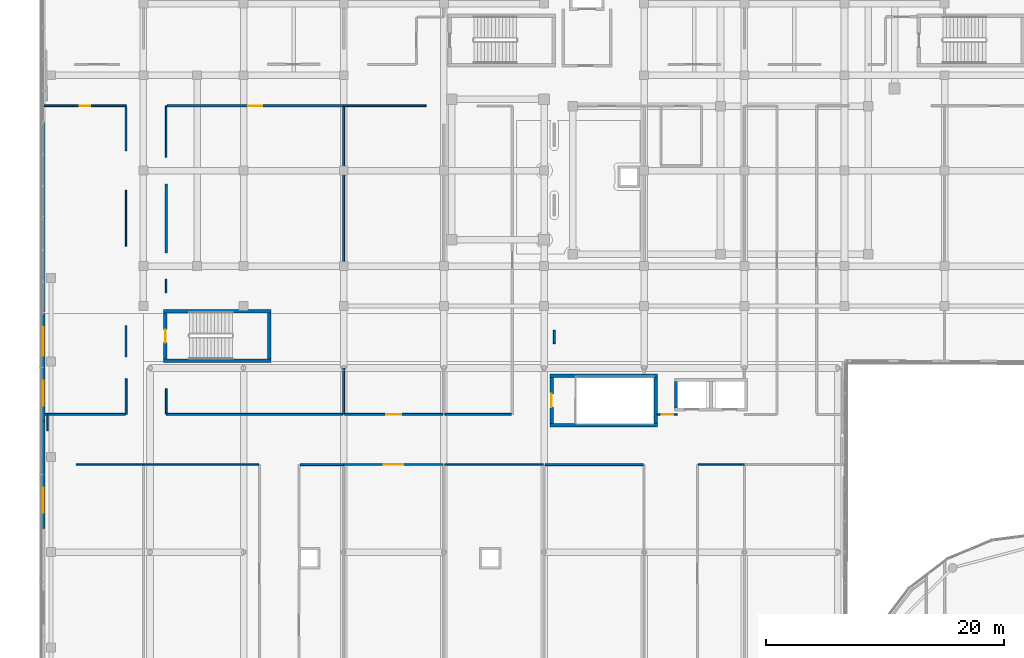
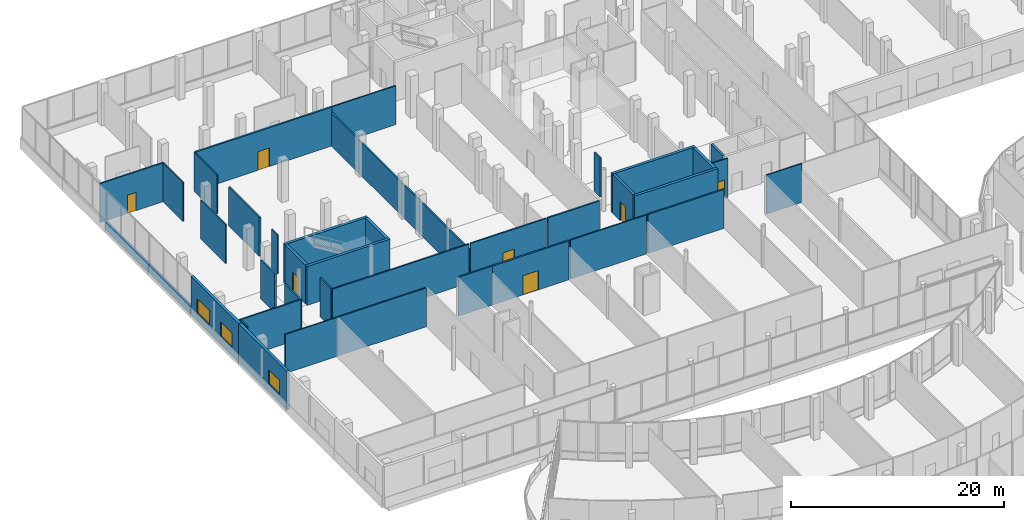
# One storey, part 134 of 155: 39 walls, 7 doors, 3 windows, 10 openings.
"""IFC4 building model written with IfcOpenShell, lengths in metres."""

from ifc_helpers import new_model, si_unit, direction, frame, frame_2d, origin, place, context, subcontext, project, spatial, rectangle, extrude, material, layer, layer_set, type_object, element, fill, save


model = new_model("IFC4")

# Units and contexts
model_context = context("Model", 3, precision=1e-05, world=origin(), true_north=direction((0.0, 1.0)))
body_context = subcontext(model_context, "Body", "Model", "MODEL_VIEW")
ifc_project = project(units=[si_unit("LENGTHUNIT", "METRE"), si_unit("AREAUNIT", "SQUARE_METRE"), si_unit("VOLUMEUNIT", "CUBIC_METRE"), si_unit("PLANEANGLEUNIT", "RADIAN"), si_unit("MASSUNIT", "GRAM", prefix="KILO")], contexts=[model_context])

# Site, building, storey
site_placement = place(None, origin())
site = spatial("IfcSite", under=ifc_project, at=site_placement, CompositionType="ELEMENT")
building_placement = place(site_placement, origin())
building = spatial("IfcBuilding", under=site, at=building_placement, Name="Selatvlak General Hospital", CompositionType="ELEMENT")
storey_placement = place(building_placement, frame((0.0, 0.0, 10.199951171875)))
storey = spatial("IfcBuildingStorey", under=building, at=storey_placement, Name="L02", CompositionType="ELEMENT", Elevation=10.199951171875)

# Wall, opening, window
ifc_material_1 = material(Name="Precast concrete C40/50 - white fair-faced", Category="concrete")
ifc_layer_1 = layer(ifc_material_1, 0.300048828125, Name="Precast concrete C40/50 - white fair-faced", Category="concrete")
ifc_layer_set_1 = layer_set([ifc_layer_1], Name="Precast concrete C40/50 - white fair-faced")
wall_type_1 = type_object("IfcWallType", Name="WALL-EW-01", PredefinedType="SOLIDWALL", material=ifc_layer_set_1)
wall_1_placement = place(storey_placement, frame((14.39990234375, 69.9990234375, 0.0), z_axis=(0.0, 0.0, 1.0), x_axis=(0.0, 1.0, 0.0)))
wall_1 = element("IfcWall", 1, at=wall_1_placement, inside=storey, type_object=wall_type_1, Name="L02 exterior wall 0285", PredefinedType="SOLIDWALL", context=body_context, shape_type="SweptSolid", body=[
    extrude(rectangle(XDim=9.0, YDim=0.300048828125, at=frame_2d((4.5, 0.0))), origin(), (0.0, 0.0, 1.0), 4.4599609375),
])
opening_1_placement = place(wall_1_placement, frame((1.2900390625, 0.0, 0.9599609375)))
opening_1 = element("IfcOpeningElement", 2, at=opening_1_placement, cuts=wall_1, Name="Opening WN-12", PredefinedType="OPENING", context=body_context, shape_type="SweptSolid", body=[
    extrude(rectangle(XDim=2.10009765625, YDim=1.64990234375, at=frame_2d((1.050048828125, 0.824951171875))), frame((0.0, 0.159912109375, 0.0), z_axis=(0.0, -1.0, 0.0), x_axis=(1.0, 0.0, 0.0)), (0.0, 0.0, 1.0), 0.320068359375),
])
ifc_material_2 = material(Name="Thermally broken aluminium Low-E window", Category="aluminium")
window_type_1 = type_object("IfcWindowType", Name="WIN-WN-12", PartitioningType="SINGLE_PANEL", PredefinedType="WINDOW", material=ifc_material_2)
window_1_placement = place(opening_1_placement, origin())
window_1 = element("IfcWindow", 3, at=window_1_placement, inside=storey, type_object=window_type_1, Name="L02 Bauhaus ribbon window 0039", OverallHeight=1.64990234375, OverallWidth=2.10009765625, PartitioningType="SINGLE_PANEL", PredefinedType="WINDOW", context=body_context, shape_type="SweptSolid", body=[
    extrude(rectangle(XDim=2.10009765625, YDim=1.64990234375, at=frame_2d((1.050048828125, 0.824951171875))), frame((0.0, 0.030029296875, 0.0), z_axis=(0.0, -1.0, 0.0), x_axis=(1.0, 0.0, 0.0)), (0.0, 0.0, 1.0), 0.06005859375),
])
fill(opening_1, window_1)

# Wall, openings, windows
wall_2_placement = place(storey_placement, frame((14.39990234375, 78.9990234375, 0.0), z_axis=(0.0, 0.0, 1.0), x_axis=(0.0, 1.0, 0.0)))
wall_2 = element("IfcWall", 4, at=wall_2_placement, inside=storey, type_object=wall_type_1, Name="L02 exterior wall 0286", PredefinedType="SOLIDWALL", context=body_context, shape_type="SweptSolid", body=[
    extrude(rectangle(XDim=9.0, YDim=0.300048828125, at=frame_2d((4.5, 0.0))), origin(), (0.0, 0.0, 1.0), 4.4599609375),
])
opening_2_placement = place(wall_2_placement, frame((1.2900390625, 0.0, 0.9599609375)))
opening_2 = element("IfcOpeningElement", 5, at=opening_2_placement, cuts=wall_2, Name="Opening WN-12", PredefinedType="OPENING", context=body_context, shape_type="SweptSolid", body=[
    extrude(rectangle(XDim=2.10009765625, YDim=1.64990234375, at=frame_2d((1.050048828125, 0.824951171875))), frame((0.0, 0.159912109375, 0.0), z_axis=(0.0, -1.0, 0.0), x_axis=(1.0, 0.0, 0.0)), (0.0, 0.0, 1.0), 0.320068359375),
])
opening_3_placement = place(wall_2_placement, frame((5.4599609375, 0.0, 0.9599609375)))
opening_3 = element("IfcOpeningElement", 6, at=opening_3_placement, cuts=wall_2, Name="Opening WN-13", PredefinedType="OPENING", context=body_context, shape_type="SweptSolid", body=[
    extrude(rectangle(XDim=2.39990234375, YDim=1.64990234375, at=frame_2d((1.199951171875, 0.824951171875))), frame((0.0, 0.159912109375, 0.0), z_axis=(0.0, -1.0, 0.0), x_axis=(1.0, 0.0, 0.0)), (0.0, 0.0, 1.0), 0.320068359375),
])
window_2_placement = place(opening_2_placement, origin())
window_2 = element("IfcWindow", 7, at=window_2_placement, inside=storey, type_object=window_type_1, Name="L02 Bauhaus ribbon window 0041", OverallHeight=1.64990234375, OverallWidth=2.10009765625, PartitioningType="SINGLE_PANEL", PredefinedType="WINDOW", context=body_context, shape_type="SweptSolid", body=[
    extrude(rectangle(XDim=2.10009765625, YDim=1.64990234375, at=frame_2d((1.050048828125, 0.824951171875))), frame((0.0, 0.030029296875, 0.0), z_axis=(0.0, -1.0, 0.0), x_axis=(1.0, 0.0, 0.0)), (0.0, 0.0, 1.0), 0.06005859375),
])
fill(opening_2, window_2)
window_type_2 = type_object("IfcWindowType", Name="WIN-WN-13", PartitioningType="SINGLE_PANEL", PredefinedType="WINDOW", material=ifc_material_2)
window_3_placement = place(opening_3_placement, origin())
window_3 = element("IfcWindow", 8, at=window_3_placement, inside=storey, type_object=window_type_2, Name="L02 Bauhaus ribbon window 0042", OverallHeight=1.64990234375, OverallWidth=2.39990234375, PartitioningType="SINGLE_PANEL", PredefinedType="WINDOW", context=body_context, shape_type="SweptSolid", body=[
    extrude(rectangle(XDim=2.39990234375, YDim=1.64990234375, at=frame_2d((1.199951171875, 0.824951171875))), frame((0.0, 0.030029296875, 0.0), z_axis=(0.0, -1.0, 0.0), x_axis=(1.0, 0.0, 0.0)), (0.0, 0.0, 1.0), 0.06005859375),
])
fill(opening_3, window_3)

# Walls
ifc_material_3 = material(Name="Precast concrete C40/50 - white Bauhaus spandrel", Category="concrete")
ifc_layer_2 = layer(ifc_material_3, 0.280029296875, Name="Precast concrete C40/50 - white Bauhaus spandrel", Category="concrete")
ifc_layer_set_2 = layer_set([ifc_layer_2], Name="Precast concrete C40/50 - white Bauhaus spandrel")
wall_type_2 = type_object("IfcWallType", Name="WALL-EW-02", PredefinedType="SOLIDWALL", material=ifc_layer_set_2)
wall_3_placement = place(storey_placement, frame((14.39990234375, 88.138916015625, 0.0), z_axis=(0.0, 0.0, 1.0), x_axis=(0.0, 1.0, 0.0)))
element("IfcWall", 9, at=wall_3_placement, inside=storey, type_object=wall_type_2, Name="L02 Bauhaus spandrel sill wall 0287", PredefinedType="SOLIDWALL", context=body_context, shape_type="SweptSolid", body=[
    extrude(rectangle(XDim=7.858154296875, YDim=0.280029296875, at=frame_2d((3.92919921875, 0.0))), origin(), (0.0, 0.0, 1.0), 0.93994140625),
])
wall_4_placement = place(storey_placement, frame((14.39990234375, 96.0009765625, 0.0), z_axis=(0.0, 0.0, 1.0), x_axis=(0.0, 1.0, 0.0)))
element("IfcWall", 10, at=wall_4_placement, inside=storey, type_object=wall_type_2, Name="L02 Bauhaus spandrel sill wall 0288", PredefinedType="SOLIDWALL", context=body_context, shape_type="SweptSolid", body=[
    extrude(rectangle(XDim=7.99609375, YDim=0.280029296875, at=frame_2d((3.998046875, 0.0))), origin(), (0.0, 0.0, 1.0), 0.93994140625),
])

# Wall, opening, door
ifc_material_4 = material(Name="Acoustic gypsum stud partition")
ifc_layer_3 = layer(ifc_material_4, 0.179931640625, Name="Acoustic gypsum stud partition")
ifc_layer_set_3 = layer_set([ifc_layer_3], Name="Acoustic gypsum stud partition")
wall_type_3 = type_object("IfcWallType", Name="WALL-PT-01", PredefinedType="PARTITIONING", material=ifc_layer_set_3)
wall_5_placement = place(storey_placement, frame((39.60009765625, 75.340087890625, 0.0), z_axis=(0.0, 0.0, 1.0), x_axis=(1.0, 0.0, 0.0)))
wall_5 = element("IfcWall", 11, at=wall_5_placement, inside=storey, type_object=wall_type_3, Name="L02 clinical partition PT-L02-1086", PredefinedType="PARTITIONING", context=body_context, shape_type="SweptSolid", body=[
    extrude(rectangle(XDim=8.322021484375, YDim=0.179931640625, at=frame_2d((4.1611328125, 0.0))), origin(), (0.0, 0.0, 1.0), 4.4599609375),
])
opening_4_placement = place(wall_5_placement, frame((3.3359375, 0.0, 0.0)))
opening_4 = element("IfcOpeningElement", 12, at=opening_4_placement, cuts=wall_5, Name="Opening D-19", PredefinedType="OPENING", context=body_context, shape_type="SweptSolid", body=[
    extrude(rectangle(XDim=1.64990234375, YDim=2.199951171875, at=frame_2d((0.824951171875, 1.10009765625))), frame((0.0, 0.099853515625, 0.0), z_axis=(0.0, -1.0, 0.0), x_axis=(1.0, 0.0, 0.0)), (0.0, 0.0, 1.0), 0.199951171875),
])
ifc_material_5 = material(Name="Hermetic operating theatre sliding door")
door_type_1 = type_object("IfcDoorType", Name="DOOR-D-19", OperationType="DOUBLE_DOOR_SLIDING", PredefinedType="DOOR", material=ifc_material_5)
door_1_placement = place(opening_4_placement, origin())
door_1 = element("IfcDoor", 13, at=door_1_placement, inside=storey, type_object=door_type_1, Name="L02 Operating Theatre 08 door", OperationType="DOUBLE_DOOR_SLIDING", OverallHeight=2.199951171875, OverallWidth=1.64990234375, PredefinedType="DOOR", context=body_context, shape_type="SweptSolid", body=[
    extrude(rectangle(XDim=1.64990234375, YDim=2.199951171875, at=frame_2d((0.824951171875, 1.10009765625))), frame((0.0, 0.02490234375, 0.0), z_axis=(0.0, -1.0, 0.0), x_axis=(1.0, 0.0, 0.0)), (0.0, 0.0, 1.0), 0.050048828125),
])
fill(opening_4, door_1)

# Wall
wall_6_placement = place(storey_placement, frame((21.340087890625, 86.993896484375, 0.0), z_axis=(0.0, 0.0, 1.0), x_axis=(0.0, -1.0, 0.0)))
element("IfcWall", 14, at=wall_6_placement, inside=storey, type_object=wall_type_3, Name="L02 clinical partition PT-L02-1250", PredefinedType="PARTITIONING", context=body_context, shape_type="SweptSolid", body=[
    extrude(rectangle(XDim=2.630859375, YDim=0.179931640625, at=frame_2d((1.3154296875, 0.0))), origin(), (0.0, 0.0, 1.0), 4.4599609375),
])

# Wall, opening, door
wall_7_placement = place(storey_placement, frame((24.76611328125, 105.43994140625, 0.0), z_axis=(0.0, 0.0, 1.0), x_axis=(1.0, 0.0, 0.0)))
wall_7 = element("IfcWall", 15, at=wall_7_placement, inside=storey, type_object=wall_type_3, Name="L02 clinical partition PT-L02-1255", PredefinedType="PARTITIONING", context=body_context, shape_type="SweptSolid", body=[
    extrude(rectangle(XDim=14.833984375, YDim=0.179931640625, at=frame_2d((7.4169921875, 0.0))), origin(), (0.0, 0.0, 1.0), 4.4599609375),
])
opening_5_placement = place(wall_7_placement, frame((6.81689453125, 0.0, 0.0)))
opening_5 = element("IfcOpeningElement", 16, at=opening_5_placement, cuts=wall_7, Name="Opening D-07", PredefinedType="OPENING", context=body_context, shape_type="SweptSolid", body=[
    extrude(rectangle(XDim=1.199951171875, YDim=2.14990234375, at=frame_2d((0.60009765625, 1.074951171875))), frame((0.0, 0.099853515625, 0.0), z_axis=(0.0, -1.0, 0.0), x_axis=(1.0, 0.0, 0.0)), (0.0, 0.0, 1.0), 0.199951171875),
])
ifc_material_6 = material(Name="Plant and store fire door")
door_type_2 = type_object("IfcDoorType", Name="DOOR-D-07", OperationType="NOTDEFINED", PredefinedType="DOOR", material=ifc_material_6)
door_2_placement = place(opening_5_placement, origin())
door_2 = element("IfcDoor", 17, at=door_2_placement, inside=storey, type_object=door_type_2, Name="L02 Anaesthetic Pre-Op Assessment 42 door", OperationType="SINGLE_SWING_LEFT", OverallHeight=2.14990234375, OverallWidth=1.199951171875, PredefinedType="DOOR", context=body_context, shape_type="SweptSolid", body=[
    extrude(rectangle(XDim=1.199951171875, YDim=2.14990234375, at=frame_2d((0.60009765625, 1.074951171875))), frame((0.0, 0.02490234375, 0.0), z_axis=(0.0, -1.0, 0.0), x_axis=(1.0, 0.0, 0.0)), (0.0, 0.0, 1.0), 0.050048828125),
])
fill(opening_5, door_2)

# Walls
wall_8_placement = place(storey_placement, frame((24.7099609375, 93.10693359375, 0.0), z_axis=(0.0, 0.0, 1.0), x_axis=(0.0, 1.0, 0.0)))
element("IfcWall", 18, at=wall_8_placement, inside=storey, type_object=wall_type_3, Name="L02 clinical partition PT-L02-1260", PredefinedType="PARTITIONING", context=body_context, shape_type="SweptSolid", body=[
    extrude(rectangle(XDim=5.7861328125, YDim=0.179931640625, at=frame_2d((2.89306640625, 0.0))), origin(), (0.0, 0.0, 1.0), 4.4599609375),
])
ifc_layer_4 = layer(ifc_material_4, 0.1650390625, Name="Acoustic gypsum stud partition")
ifc_layer_set_4 = layer_set([ifc_layer_4], Name="Acoustic gypsum stud partition")
wall_type_4 = type_object("IfcWallType", Name="WALL-PT-02", PredefinedType="PARTITIONING", material=ifc_layer_set_4)
wall_9_placement = place(storey_placement, frame((35.946044921875, 75.340087890625, 0.0), z_axis=(0.0, 0.0, 1.0), x_axis=(1.0, 0.0, 0.0)))
element("IfcWall", 19, at=wall_9_placement, inside=storey, type_object=wall_type_4, Name="L02 clinical partition PT-L02-1072", PredefinedType="PARTITIONING", context=body_context, shape_type="SweptSolid", body=[
    extrude(rectangle(XDim=3.654052734375, YDim=0.1650390625, at=frame_2d((1.8271484375, 0.0))), origin(), (0.0, 0.0, 1.0), 4.4599609375),
])
wall_10_placement = place(storey_placement, frame((56.486083984375, 75.340087890625, 0.0), z_axis=(0.0, 0.0, 1.0), x_axis=(1.0, 0.0, 0.0)))
element("IfcWall", 20, at=wall_10_placement, inside=storey, type_object=wall_type_4, Name="L02 clinical partition PT-L02-1108", PredefinedType="PARTITIONING", context=body_context, shape_type="SweptSolid", body=[
    extrude(rectangle(XDim=8.25, YDim=0.1650390625, at=frame_2d((4.125, 0.0))), origin(), (0.0, 0.0, 1.0), 4.4599609375),
])
wall_11_placement = place(storey_placement, frame((21.340087890625, 82.537109375, 0.0), z_axis=(0.0, 0.0, 1.0), x_axis=(0.0, -1.0, 0.0)))
element("IfcWall", 21, at=wall_11_placement, inside=storey, type_object=wall_type_4, Name="L02 clinical partition PT-L02-1251", PredefinedType="PARTITIONING", context=body_context, shape_type="SweptSolid", body=[
    extrude(rectangle(XDim=2.97705078125, YDim=0.1650390625, at=frame_2d((1.488525390625, 0.0))), origin(), (0.0, 0.0, 1.0), 4.4599609375),
])
wall_12_placement = place(storey_placement, frame((39.60009765625, 105.35400390625, 0.0), z_axis=(0.0, 0.0, 1.0), x_axis=(0.0, -1.0, 0.0)))
element("IfcWall", 22, at=wall_12_placement, inside=storey, type_object=wall_type_4, Name="L02 clinical partition PT-L02-1256", PredefinedType="PARTITIONING", context=body_context, shape_type="SweptSolid", body=[
    extrude(rectangle(XDim=25.7939453125, YDim=0.1650390625, at=frame_2d((12.89697265625, 0.0))), origin(), (0.0, 0.0, 1.0), 3.81005859375),
])
wall_13_placement = place(storey_placement, frame((53.654052734375, 79.56005859375, 0.0), z_axis=(0.0, 0.0, 1.0), x_axis=(-1.0, 0.0, 0.0)))
element("IfcWall", 23, at=wall_13_placement, inside=storey, type_object=wall_type_4, Name="L02 clinical partition PT-L02-1266", PredefinedType="PARTITIONING", context=body_context, shape_type="SweptSolid", body=[
    extrude(rectangle(XDim=5.576171875, YDim=0.1650390625, at=frame_2d((2.7880859375, 0.0))), origin(), (0.0, 0.0, 1.0), 4.4599609375),
])
wall_14_placement = place(storey_placement, frame((57.260009765625, 85.485107421875, 0.0), z_axis=(0.0, 0.0, 1.0), x_axis=(0.0, 1.0, 0.0)))
element("IfcWall", 24, at=wall_14_placement, inside=storey, type_object=wall_type_4, Name="L02 clinical partition PT-L02-1271", PredefinedType="PARTITIONING", context=body_context, shape_type="SweptSolid", body=[
    extrude(rectangle(XDim=1.1298828125, YDim=0.1650390625, at=frame_2d((0.56494140625, 0.0))), origin(), (0.0, 0.0, 1.0), 4.4599609375),
])

# Wall, opening, door
ifc_layer_5 = layer(ifc_material_4, 0.14990234375, Name="Acoustic gypsum stud partition")
ifc_layer_set_5 = layer_set([ifc_layer_5], Name="Acoustic gypsum stud partition")
wall_type_5 = type_object("IfcWallType", Name="WALL-PT-03", PredefinedType="PARTITIONING", material=ifc_layer_set_5)
wall_15_placement = place(storey_placement, frame((14.44189453125, 105.43994140625, 0.0), z_axis=(0.0, 0.0, 1.0), x_axis=(1.0, 0.0, 0.0)))
wall_15 = element("IfcWall", 25, at=wall_15_placement, inside=storey, type_object=wall_type_5, Name="L02 clinical partition PT-L02-1247", PredefinedType="PARTITIONING", context=body_context, shape_type="SweptSolid", body=[
    extrude(rectangle(XDim=6.898193359375, YDim=0.14990234375, at=frame_2d((3.44921875, 0.0))), origin(), (0.0, 0.0, 1.0), 4.4599609375),
])
opening_6_placement = place(wall_15_placement, frame((2.9990234375, 0.0, 0.0)))
opening_6 = element("IfcOpeningElement", 26, at=opening_6_placement, cuts=wall_15, Name="Opening D-01", PredefinedType="OPENING", context=body_context, shape_type="SweptSolid", body=[
    extrude(rectangle(XDim=0.89990234375, YDim=2.10009765625, at=frame_2d((0.449951171875, 1.050048828125))), frame((0.0, 0.0849609375, 0.0), z_axis=(0.0, -1.0, 0.0), x_axis=(1.0, 0.0, 0.0)), (0.0, 0.0, 1.0), 0.169921875),
])
ifc_material_7 = material(Name="Hardwood clinical room door", Category="wood")
door_type_3 = type_object("IfcDoorType", Name="DOOR-D-01", OperationType="NOTDEFINED", PredefinedType="DOOR", material=ifc_material_7)
door_3_placement = place(opening_6_placement, origin())
door_3 = element("IfcDoor", 27, at=door_3_placement, inside=storey, type_object=door_type_3, Name="L02 Sterile Instrument Preparation 41 door", OperationType="SINGLE_SWING_RIGHT", OverallHeight=2.10009765625, OverallWidth=0.89990234375, PredefinedType="DOOR", context=body_context, shape_type="SweptSolid", body=[
    extrude(rectangle(XDim=0.89990234375, YDim=2.10009765625, at=frame_2d((0.449951171875, 1.050048828125))), frame((0.0, 0.02490234375, 0.0), z_axis=(0.0, -1.0, 0.0), x_axis=(1.0, 0.0, 0.0)), (0.0, 0.0, 1.0), 0.050048828125),
])
fill(opening_6, door_3)

# Walls
wall_16_placement = place(storey_placement, frame((21.261962890625, 79.56005859375, 0.0), z_axis=(0.0, 0.0, 1.0), x_axis=(-1.0, 0.0, 0.0)))
element("IfcWall", 28, at=wall_16_placement, inside=storey, type_object=wall_type_5, Name="L02 clinical partition PT-L02-1252", PredefinedType="PARTITIONING", context=body_context, shape_type="SweptSolid", body=[
    extrude(rectangle(XDim=6.71484375, YDim=0.14990234375, at=frame_2d((3.357421875, 0.0))), origin(), (0.0, 0.0, 1.0), 4.4599609375),
])
wall_17_placement = place(storey_placement, frame((39.52197265625, 79.56005859375, 0.0), z_axis=(0.0, 0.0, 1.0), x_axis=(-1.0, 0.0, 0.0)))
element("IfcWall", 29, at=wall_17_placement, inside=storey, type_object=wall_type_5, Name="L02 clinical partition PT-L02-1257", PredefinedType="PARTITIONING", context=body_context, shape_type="SweptSolid", body=[
    extrude(rectangle(XDim=14.81201171875, YDim=0.14990234375, at=frame_2d((7.406005859375, 0.0))), origin(), (0.0, 0.0, 1.0), 4.4599609375),
])

# Wall, opening, door
wall_18_placement = place(storey_placement, frame((47.922119140625, 79.56005859375, 0.0), z_axis=(0.0, 0.0, 1.0), x_axis=(-1.0, 0.0, 0.0)))
wall_18 = element("IfcWall", 30, at=wall_18_placement, inside=storey, type_object=wall_type_5, Name="L02 clinical partition PT-L02-1262", PredefinedType="PARTITIONING", context=body_context, shape_type="SweptSolid", body=[
    extrude(rectangle(XDim=8.244140625, YDim=0.14990234375, at=frame_2d((4.1220703125, 0.0))), origin(), (0.0, 0.0, 1.0), 4.4599609375),
])
opening_7_placement = place(wall_18_placement, frame((3.4970703125, 0.0, 0.0)))
opening_7 = element("IfcOpeningElement", 31, at=opening_7_placement, cuts=wall_18, Name="Opening D-08", PredefinedType="OPENING", context=body_context, shape_type="SweptSolid", body=[
    extrude(rectangle(XDim=1.25, YDim=2.14990234375, at=frame_2d((0.625, 1.074951171875))), frame((0.0, 0.0849609375, 0.0), z_axis=(0.0, -1.0, 0.0), x_axis=(1.0, 0.0, 0.0)), (0.0, 0.0, 1.0), 0.169921875),
])
ifc_material_8 = material(Name="Diagnostic treatment door")
door_type_4 = type_object("IfcDoorType", Name="DOOR-D-08", OperationType="NOTDEFINED", PredefinedType="DOOR", material=ifc_material_8)
door_4_placement = place(opening_7_placement, origin())
door_4 = element("IfcDoor", 32, at=door_4_placement, inside=storey, type_object=door_type_4, Name="L02 Cardiac Catheterisation Lab 43 door", OperationType="SINGLE_SWING_RIGHT", OverallHeight=2.14990234375, OverallWidth=1.25, PredefinedType="DOOR", context=body_context, shape_type="SweptSolid", body=[
    extrude(rectangle(XDim=1.25, YDim=2.14990234375, at=frame_2d((0.625, 1.074951171875))), frame((0.0, 0.02490234375, 0.0), z_axis=(0.0, -1.0, 0.0), x_axis=(1.0, 0.0, 0.0)), (0.0, 0.0, 1.0), 0.050048828125),
])
fill(opening_7, door_4)

# Walls
ifc_material_9 = material(Name="Moisture-resistant clinical partition")
ifc_layer_6 = layer(ifc_material_9, 0.135009765625, Name="Moisture-resistant clinical partition")
ifc_layer_set_6 = layer_set([ifc_layer_6], Name="Moisture-resistant clinical partition")
wall_type_6 = type_object("IfcWallType", Name="WALL-PT-04", PredefinedType="PARTITIONING", material=ifc_layer_set_6)
wall_19_placement = place(storey_placement, frame((17.157958984375, 75.340087890625, 0.0), z_axis=(0.0, 0.0, 1.0), x_axis=(1.0, 0.0, 0.0)))
element("IfcWall", 33, at=wall_19_placement, inside=storey, type_object=wall_type_6, Name="L02 clinical partition PT-L02-1046", PredefinedType="PARTITIONING", context=body_context, shape_type="SweptSolid", body=[
    extrude(rectangle(XDim=5.64208984375, YDim=0.135009765625, at=frame_2d((2.821044921875, 0.0))), origin(), (0.0, 0.0, 1.0), 4.4599609375),
])
wall_20_placement = place(storey_placement, frame((22.800048828125, 75.340087890625, 0.0), z_axis=(0.0, 0.0, 1.0), x_axis=(1.0, 0.0, 0.0)))
element("IfcWall", 34, at=wall_20_placement, inside=storey, type_object=wall_type_6, Name="L02 clinical partition PT-L02-1070", PredefinedType="PARTITIONING", context=body_context, shape_type="SweptSolid", body=[
    extrude(rectangle(XDim=9.654052734375, YDim=0.135009765625, at=frame_2d((4.8271484375, 0.0))), origin(), (0.0, 0.0, 1.0), 4.4599609375),
])
wall_21_placement = place(storey_placement, frame((48.077880859375, 75.340087890625, 0.0), z_axis=(0.0, 0.0, 1.0), x_axis=(1.0, 0.0, 0.0)))
element("IfcWall", 35, at=wall_21_placement, inside=storey, type_object=wall_type_6, Name="L02 clinical partition PT-L02-1097", PredefinedType="PARTITIONING", context=body_context, shape_type="SweptSolid", body=[
    extrude(rectangle(XDim=8.236083984375, YDim=0.135009765625, at=frame_2d((4.1181640625, 0.0))), origin(), (0.0, 0.0, 1.0), 4.4599609375),
])
wall_22_placement = place(storey_placement, frame((69.339111328125, 75.340087890625, 0.0), z_axis=(0.0, 0.0, 1.0), x_axis=(1.0, 0.0, 0.0)))
element("IfcWall", 36, at=wall_22_placement, inside=storey, type_object=wall_type_6, Name="L02 clinical partition PT-L02-1118", PredefinedType="PARTITIONING", context=body_context, shape_type="SweptSolid", body=[
    extrude(rectangle(XDim=3.86083984375, YDim=0.135009765625, at=frame_2d((1.930419921875, 0.0))), origin(), (0.0, 0.0, 1.0), 4.4599609375),
])
wall_23_placement = place(storey_placement, frame((21.340087890625, 105.368896484375, 0.0), z_axis=(0.0, 0.0, 1.0), x_axis=(0.0, -1.0, 0.0)))
element("IfcWall", 37, at=wall_23_placement, inside=storey, type_object=wall_type_6, Name="L02 clinical partition PT-L02-1248", PredefinedType="PARTITIONING", context=body_context, shape_type="SweptSolid", body=[
    extrude(rectangle(XDim=3.712890625, YDim=0.135009765625, at=frame_2d((1.8564453125, 0.0))), origin(), (0.0, 0.0, 1.0), 4.4599609375),
])
wall_24_placement = place(storey_placement, frame((14.739990234375, 79.489013671875, 0.0), z_axis=(0.0, 0.0, 1.0), x_axis=(0.0, -1.0, 0.0)))
element("IfcWall", 38, at=wall_24_placement, inside=storey, type_object=wall_type_6, Name="L02 clinical partition PT-L02-1253", PredefinedType="PARTITIONING", context=body_context, shape_type="SweptSolid", body=[
    extrude(rectangle(XDim=1.302978515625, YDim=0.135009765625, at=frame_2d((0.6513671875, 0.0))), origin(), (0.0, 0.0, 1.0), 4.4599609375),
])
wall_25_placement = place(storey_placement, frame((24.7099609375, 79.631103515625, 0.0), z_axis=(0.0, 0.0, 1.0), x_axis=(0.0, 1.0, 0.0)))
element("IfcWall", 39, at=wall_25_placement, inside=storey, type_object=wall_type_6, Name="L02 clinical partition PT-L02-1258", PredefinedType="PARTITIONING", context=body_context, shape_type="SweptSolid", body=[
    extrude(rectangle(XDim=2.078857421875, YDim=0.135009765625, at=frame_2d((1.03955078125, 0.0))), origin(), (0.0, 0.0, 1.0), 4.4599609375),
])
wall_26_placement = place(storey_placement, frame((39.60009765625, 105.43994140625, 0.0), z_axis=(0.0, 0.0, 1.0), x_axis=(1.0, 0.0, 0.0)))
element("IfcWall", 40, at=wall_26_placement, inside=storey, type_object=wall_type_6, Name="L02 clinical partition PT-L02-1263", PredefinedType="PARTITIONING", context=body_context, shape_type="SweptSolid", body=[
    extrude(rectangle(XDim=6.914794921875, YDim=0.135009765625, at=frame_2d((3.45751953125, 0.0))), origin(), (0.0, 0.0, 1.0), 4.4599609375),
])

# Wall, opening, door
wall_27_placement = place(storey_placement, frame((67.590087890625, 79.56005859375, 0.0), z_axis=(0.0, 0.0, 1.0), x_axis=(-1.0, 0.0, 0.0)))
wall_27 = element("IfcWall", 41, at=wall_27_placement, inside=storey, type_object=wall_type_6, Name="L02 clinical partition PT-L02-1273", PredefinedType="PARTITIONING", context=body_context, shape_type="SweptSolid", body=[
    extrude(rectangle(XDim=1.68310546875, YDim=0.135009765625, at=frame_2d((0.841552734375, 0.0))), origin(), (0.0, 0.0, 1.0), 4.4599609375),
])
opening_8_placement = place(wall_27_placement, frame((0.366943359375, 0.0, 0.0)))
opening_8 = element("IfcOpeningElement", 42, at=opening_8_placement, cuts=wall_27, Name="Opening D-02", PredefinedType="OPENING", context=body_context, shape_type="SweptSolid", body=[
    extrude(rectangle(XDim=0.949951171875, YDim=2.10009765625, at=frame_2d((0.47509765625, 1.050048828125))), frame((0.0, 0.077392578125, 0.0), z_axis=(0.0, -1.0, 0.0), x_axis=(1.0, 0.0, 0.0)), (0.0, 0.0, 1.0), 0.155029296875),
])
ifc_material_10 = material(Name="Moisture-resistant en-suite door")
door_type_5 = type_object("IfcDoorType", Name="DOOR-D-02", OperationType="NOTDEFINED", PredefinedType="DOOR", material=ifc_material_10)
door_5_placement = place(opening_8_placement, origin())
door_5 = element("IfcDoor", 43, at=door_5_placement, inside=storey, type_object=door_type_5, Name="L02 Surgical Day Admission Lounge 46 door", OperationType="SINGLE_SWING_LEFT", OverallHeight=2.10009765625, OverallWidth=0.949951171875, PredefinedType="DOOR", context=body_context, shape_type="SweptSolid", body=[
    extrude(rectangle(XDim=0.949951171875, YDim=2.10009765625, at=frame_2d((0.47509765625, 1.050048828125))), frame((0.0, 0.02490234375, 0.0), z_axis=(0.0, -1.0, 0.0), x_axis=(1.0, 0.0, 0.0)), (0.0, 0.0, 1.0), 0.050048828125),
])
fill(opening_8, door_5)

# Walls
ifc_layer_7 = layer(ifc_material_9, 0.1201171875, Name="Moisture-resistant clinical partition")
ifc_layer_set_7 = layer_set([ifc_layer_7], Name="Moisture-resistant clinical partition")
wall_type_7 = type_object("IfcWallType", Name="WALL-PT-05", PredefinedType="PARTITIONING", material=ifc_layer_set_7)
wall_28_placement = place(storey_placement, frame((21.340087890625, 98.343994140625, 0.0), z_axis=(0.0, 0.0, 1.0), x_axis=(0.0, -1.0, 0.0)))
element("IfcWall", 44, at=wall_28_placement, inside=storey, type_object=wall_type_7, Name="L02 clinical partition PT-L02-1249", PredefinedType="PARTITIONING", context=body_context, shape_type="SweptSolid", body=[
    extrude(rectangle(XDim=4.68798828125, YDim=0.1201171875, at=frame_2d((2.343994140625, 0.0))), origin(), (0.0, 0.0, 1.0), 4.4599609375),
])
wall_29_placement = place(storey_placement, frame((24.7099609375, 101.10693359375, 0.0), z_axis=(0.0, 0.0, 1.0), x_axis=(0.0, 1.0, 0.0)))
element("IfcWall", 45, at=wall_29_placement, inside=storey, type_object=wall_type_7, Name="L02 clinical partition PT-L02-1254", PredefinedType="PARTITIONING", context=body_context, shape_type="SweptSolid", body=[
    extrude(rectangle(XDim=4.3330078125, YDim=0.1201171875, at=frame_2d((2.16650390625, 0.0))), origin(), (0.0, 0.0, 1.0), 4.4599609375),
])
wall_30_placement = place(storey_placement, frame((24.7099609375, 89.757080078125, 0.0), z_axis=(0.0, 0.0, 1.0), x_axis=(0.0, 1.0, 0.0)))
element("IfcWall", 46, at=wall_30_placement, inside=storey, type_object=wall_type_7, Name="L02 clinical partition PT-L02-1259", PredefinedType="PARTITIONING", context=body_context, shape_type="SweptSolid", body=[
    extrude(rectangle(XDim=1.135986328125, YDim=0.1201171875, at=frame_2d((0.56787109375, 0.0))), origin(), (0.0, 0.0, 1.0), 4.4599609375),
])
ifc_material_11 = material(Name="Concrete C45/55", Category="concrete")
ifc_layer_8 = layer(ifc_material_11, 0.300048828125, Name="Concrete C45/55", Category="concrete")
ifc_layer_set_8 = layer_set([ifc_layer_8], Name="Concrete C45/55")
wall_type_8 = type_object("IfcWallType", Name="WALL-SW-02", PredefinedType="SHEAR", material=ifc_layer_set_8)
wall_31_placement = place(storey_placement, frame((56.889892578125, 78.639892578125, 0.0), z_axis=(0.0, 0.0, 1.0), x_axis=(1.0, 0.0, 0.0)))
element("IfcWall", 47, at=wall_31_placement, inside=storey, type_object=wall_type_8, Name="ST-05 core shear wall L02 S", PredefinedType="SHEAR", context=body_context, shape_type="SweptSolid", body=[
    extrude(rectangle(XDim=9.02001953125, YDim=0.300048828125, at=frame_2d((4.510009765625, 0.0))), origin(), (0.0, 0.0, 1.0), 4.4599609375),
])
wall_32_placement = place(storey_placement, frame((65.760009765625, 78.7900390625, 0.0), z_axis=(0.0, 0.0, 1.0), x_axis=(0.0, 1.0, 0.0)))
element("IfcWall", 48, at=wall_32_placement, inside=storey, type_object=wall_type_8, Name="ST-05 core shear wall L02 E", PredefinedType="SHEAR", context=body_context, shape_type="SweptSolid", body=[
    extrude(rectangle(XDim=3.85986328125, YDim=0.300048828125, at=frame_2d((1.929931640625, 0.0))), origin(), (0.0, 0.0, 1.0), 4.4599609375),
])
wall_33_placement = place(storey_placement, frame((65.909912109375, 82.800048828125, 0.0), z_axis=(0.0, 0.0, 1.0), x_axis=(-1.0, 0.0, 0.0)))
element("IfcWall", 49, at=wall_33_placement, inside=storey, type_object=wall_type_8, Name="ST-05 core shear wall L02 N", PredefinedType="SHEAR", context=body_context, shape_type="SweptSolid", body=[
    extrude(rectangle(XDim=9.02001953125, YDim=0.300048828125, at=frame_2d((4.510009765625, 0.0))), origin(), (0.0, 0.0, 1.0), 4.4599609375),
])

# Wall, opening, door
wall_34_placement = place(storey_placement, frame((57.0400390625, 82.64990234375, 0.0), z_axis=(0.0, 0.0, 1.0), x_axis=(0.0, -1.0, 0.0)))
wall_34 = element("IfcWall", 50, at=wall_34_placement, inside=storey, type_object=wall_type_8, Name="ST-05 core shear wall L02 W", PredefinedType="SHEAR", context=body_context, shape_type="SweptSolid", body=[
    extrude(rectangle(XDim=3.85986328125, YDim=0.300048828125, at=frame_2d((1.929931640625, 0.0))), origin(), (0.0, 0.0, 1.0), 4.4599609375),
])
opening_9_placement = place(wall_34_placement, frame((1.3798828125, 0.0, 0.0)))
opening_9 = element("IfcOpeningElement", 51, at=opening_9_placement, cuts=wall_34, Name="Opening D-05", PredefinedType="OPENING", context=body_context, shape_type="SweptSolid", body=[
    extrude(rectangle(XDim=1.10009765625, YDim=2.14990234375, at=frame_2d((0.550048828125, 1.074951171875))), frame((0.0, 0.159912109375, 0.0), z_axis=(0.0, -1.0, 0.0), x_axis=(1.0, 0.0, 0.0)), (0.0, 0.0, 1.0), 0.320068359375),
])
ifc_material_12 = material(Name="Protected stair fire door")
door_type_6 = type_object("IfcDoorType", Name="DOOR-D-05", OperationType="NOTDEFINED", PredefinedType="DOOR", material=ifc_material_12)
door_6_placement = place(opening_9_placement, origin())
door_6 = element("IfcDoor", 52, at=door_6_placement, inside=storey, type_object=door_type_6, Name="ST-05 protected stair door on L02", OperationType="SINGLE_SWING_RIGHT", OverallHeight=2.14990234375, OverallWidth=1.10009765625, PredefinedType="DOOR", context=body_context, shape_type="SweptSolid", body=[
    extrude(rectangle(XDim=1.10009765625, YDim=2.14990234375, at=frame_2d((0.550048828125, 1.074951171875))), frame((0.0, 0.02490234375, 0.0), z_axis=(0.0, -1.0, 0.0), x_axis=(1.0, 0.0, 0.0)), (0.0, 0.0, 1.0), 0.050048828125),
])
fill(opening_9, door_6)

# Walls
wall_35_placement = place(storey_placement, frame((24.489990234375, 84.0400390625, 0.0), z_axis=(0.0, 0.0, 1.0), x_axis=(1.0, 0.0, 0.0)))
element("IfcWall", 53, at=wall_35_placement, inside=storey, type_object=wall_type_8, Name="ST-07 core shear wall L02 S", PredefinedType="SHEAR", context=body_context, shape_type="SweptSolid", body=[
    extrude(rectangle(XDim=9.02001953125, YDim=0.300048828125, at=frame_2d((4.510009765625, 0.0))), origin(), (0.0, 0.0, 1.0), 4.4599609375),
])
wall_36_placement = place(storey_placement, frame((33.360107421875, 84.18994140625, 0.0), z_axis=(0.0, 0.0, 1.0), x_axis=(0.0, 1.0, 0.0)))
element("IfcWall", 54, at=wall_36_placement, inside=storey, type_object=wall_type_8, Name="ST-07 core shear wall L02 E", PredefinedType="SHEAR", context=body_context, shape_type="SweptSolid", body=[
    extrude(rectangle(XDim=3.860107421875, YDim=0.300048828125, at=frame_2d((1.93017578125, 0.0))), origin(), (0.0, 0.0, 1.0), 4.4599609375),
])
wall_37_placement = place(storey_placement, frame((33.510009765625, 88.199951171875, 0.0), z_axis=(0.0, 0.0, 1.0), x_axis=(-1.0, 0.0, 0.0)))
element("IfcWall", 55, at=wall_37_placement, inside=storey, type_object=wall_type_8, Name="ST-07 core shear wall L02 N", PredefinedType="SHEAR", context=body_context, shape_type="SweptSolid", body=[
    extrude(rectangle(XDim=9.02001953125, YDim=0.300048828125, at=frame_2d((4.510009765625, 0.0))), origin(), (0.0, 0.0, 1.0), 4.4599609375),
])

# Wall, opening, door
wall_38_placement = place(storey_placement, frame((24.639892578125, 88.050048828125, 0.0), z_axis=(0.0, 0.0, 1.0), x_axis=(0.0, -1.0, 0.0)))
wall_38 = element("IfcWall", 56, at=wall_38_placement, inside=storey, type_object=wall_type_8, Name="ST-07 core shear wall L02 W", PredefinedType="SHEAR", context=body_context, shape_type="SweptSolid", body=[
    extrude(rectangle(XDim=3.860107421875, YDim=0.300048828125, at=frame_2d((1.93017578125, 0.0))), origin(), (0.0, 0.0, 1.0), 4.4599609375),
])
opening_10_placement = place(wall_38_placement, frame((1.3798828125, 0.0, 0.0)))
opening_10 = element("IfcOpeningElement", 57, at=opening_10_placement, cuts=wall_38, Name="Opening D-05", PredefinedType="OPENING", context=body_context, shape_type="SweptSolid", body=[
    extrude(rectangle(XDim=1.10009765625, YDim=2.14990234375, at=frame_2d((0.550048828125, 1.074951171875))), frame((0.0, 0.159912109375, 0.0), z_axis=(0.0, -1.0, 0.0), x_axis=(1.0, 0.0, 0.0)), (0.0, 0.0, 1.0), 0.320068359375),
])
door_7_placement = place(opening_10_placement, origin())
door_7 = element("IfcDoor", 58, at=door_7_placement, inside=storey, type_object=door_type_6, Name="ST-07 protected stair door on L02", OperationType="SINGLE_SWING_LEFT", OverallHeight=2.14990234375, OverallWidth=1.10009765625, PredefinedType="DOOR", context=body_context, shape_type="SweptSolid", body=[
    extrude(rectangle(XDim=1.10009765625, YDim=2.14990234375, at=frame_2d((0.550048828125, 1.074951171875))), frame((0.0, 0.02490234375, 0.0), z_axis=(0.0, -1.0, 0.0), x_axis=(1.0, 0.0, 0.0)), (0.0, 0.0, 1.0), 0.050048828125),
])
fill(opening_10, door_7)

# Wall
ifc_material_13 = material(Name="Concrete C40/50", Category="concrete")
ifc_layer_9 = layer(ifc_material_13, 0.25, Name="Concrete C40/50", Category="concrete")
ifc_layer_set_9 = layer_set([ifc_layer_9], Name="Concrete C40/50")
wall_type_9 = type_object("IfcWallType", Name="WALL-SW-03", PredefinedType="SHEAR", material=ifc_layer_set_9)
wall_39_placement = place(storey_placement, frame((67.47509765625, 82.300048828125, 0.0), z_axis=(0.0, 0.0, 1.0), x_axis=(0.0, -1.0, 0.0)))
element("IfcWall", 59, at=wall_39_placement, inside=storey, type_object=wall_type_9, Name="Lift LP-01-LP-02 shaft wall L02 W", PredefinedType="SHEAR", context=body_context, shape_type="SweptSolid", body=[
    extrude(rectangle(XDim=2.199951171875, YDim=0.25, at=frame_2d((1.10009765625, 0.0))), origin(), (0.0, 0.0, 1.0), 4.4599609375),
])

save(model, "model.ifc")
